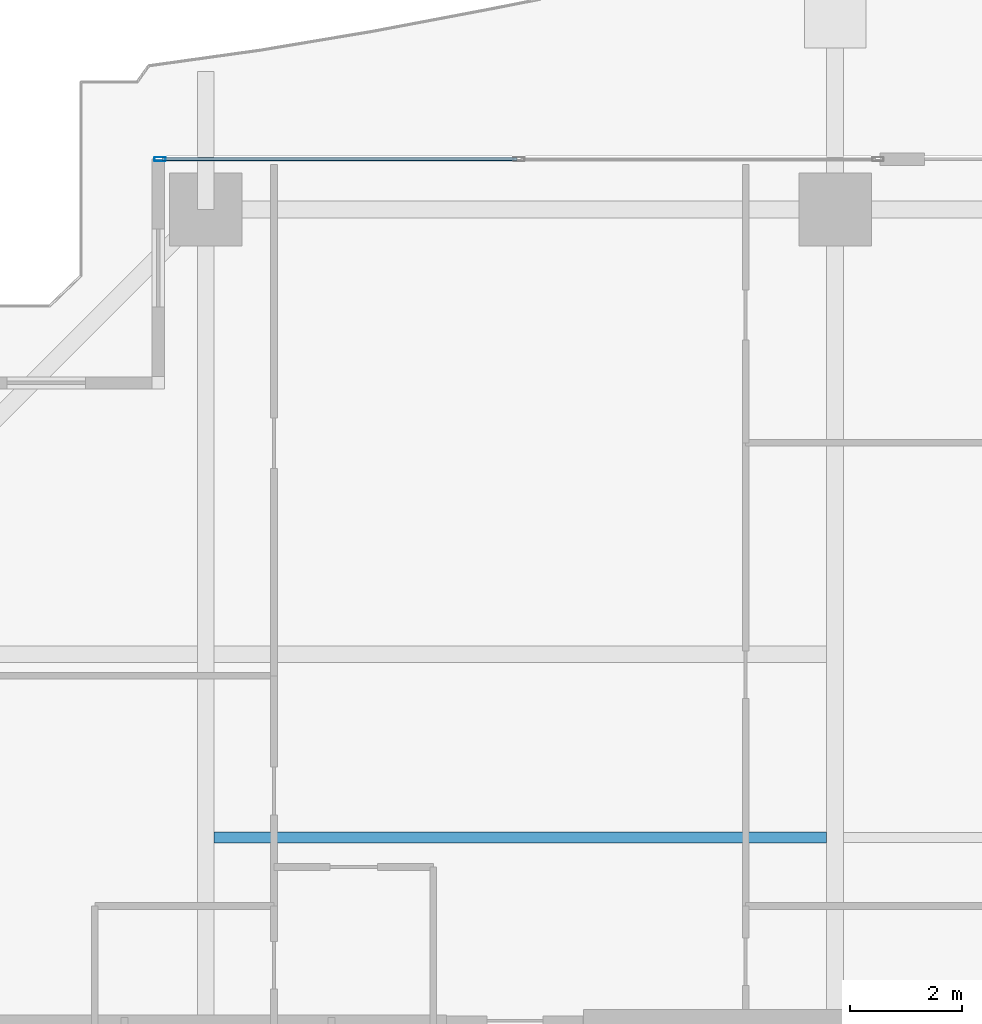
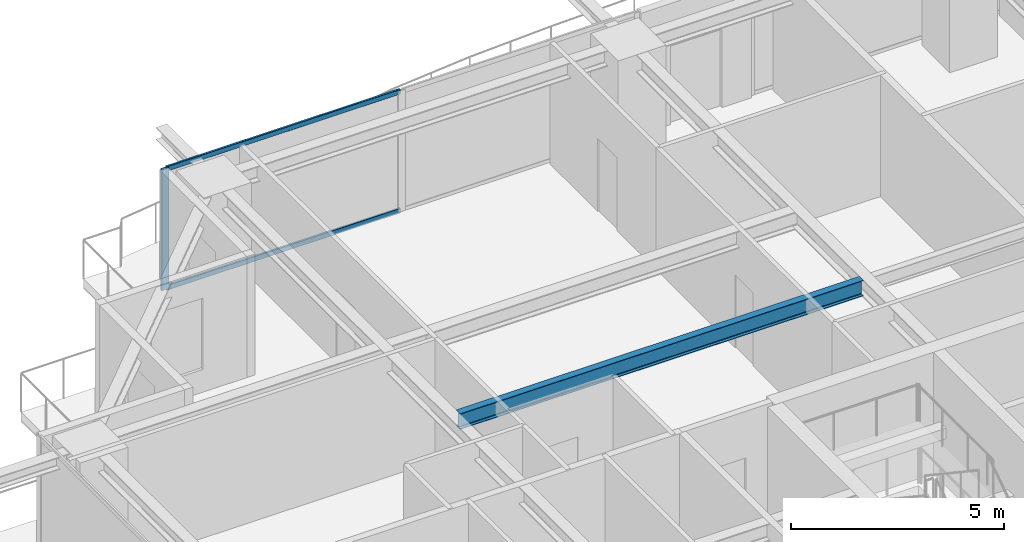
# One storey, part 19 of 38: 3 members, 1 beam, 1 element without a shape of its own.
"""IFC4 building model written with IfcOpenShell, lengths in metres."""

from ifc_helpers import new_model, si_unit, direction, frame, origin, origin_2d, place, context, subcontext, project, spatial, hollow_rectangle, i_section, extrude, source, transform, mapped, material, layer, layer_set, material_profile, profile_set, type_object, element, aggregate, save


model = new_model("IFC4")

# Units and contexts
model_context = context("Model", 3, precision=1e-05, world=origin(), true_north=direction((0.0, 1.0)))
body_context = subcontext(model_context, "Body", "Model", "MODEL_VIEW")
ifc_project = project(units=[si_unit("LENGTHUNIT", "METRE"), si_unit("AREAUNIT", "SQUARE_METRE"), si_unit("VOLUMEUNIT", "CUBIC_METRE"), si_unit("PLANEANGLEUNIT", "RADIAN"), si_unit("MASSUNIT", "GRAM", prefix="KILO")], contexts=[model_context])

# Site, building, storey
site_placement = place(None, origin())
site = spatial("IfcSite", under=ifc_project, at=site_placement, CompositionType="ELEMENT")
building_placement = place(site_placement, origin())
building = spatial("IfcBuilding", under=site, at=building_placement, Name="Serunith Strait Residences", CompositionType="ELEMENT")
storey_placement = place(building_placement, frame((0.0, 0.0, 120.14990234375)))
storey = spatial("IfcBuildingStorey", under=building, at=storey_placement, Name="L29", CompositionType="ELEMENT", Elevation=120.14990234375)

# Beam
ifc_material_1 = material(Name="Steel S355J2", Category="steel")
ifc_material_profile_1 = material_profile(ifc_material_1, i_section(OverallWidth=0.18994140625, OverallDepth=0.449951171875, WebThickness=0.009521484375, FlangeThickness=0.0146484375, FilletRadius=0.02099609375, at=origin_2d()), Name="IPE 450")
ifc_profile_set_1 = profile_set([ifc_material_profile_1], Name="Steel S355J2")
beam_type = type_object("IfcBeamType", Name="BM-IPE450", PredefinedType="JOIST", material=ifc_profile_set_1)
shared_shape_1 = source(origin(), body_context, "Body", "SweptSolid", [
    extrude(i_section(OverallWidth=0.18994140625, OverallDepth=0.449951171875, WebThickness=0.009521484375, FlangeThickness=0.0146484375, FilletRadius=0.02099609375, at=origin_2d()), origin(), (0.0, 0.0, 1.0), 10.949951171875),
])
beam_placement = place(storey_placement, frame((16.800048828125, 36.875, 3.26220703125), z_axis=(1.0, 0.0, 0.0), x_axis=(0.0, 1.0, 0.0)))
element("IfcBeam", 1, at=beam_placement, inside=storey, type_object=beam_type, Name="L29 Composite Floor Joist 04", PredefinedType="JOIST", context=body_context, shape_type="MappedRepresentation", body=[
    mapped(shared_shape_1, transform((0.0, 0.0, 0.0), scale=1.0)),
])

# Curtain wall, members
ifc_material_2 = material(Name="Pale-Champagne Anodised Aluminium", Category="aluminium")
ifc_layer = layer(ifc_material_2, 0.199951171875, Name="Pale-Champagne Anodised Aluminium")
ifc_layer_set = layer_set([ifc_layer], Name="Pale-Champagne Anodised Aluminium")
curtain_wall_type = type_object("IfcCurtainWallType", Name="CW-SYS2", PredefinedType="NOTDEFINED", material=ifc_layer_set)
curtain_wall_placement = place(storey_placement, origin())
curtain_wall = element("IfcCurtainWall", 2, at=curtain_wall_placement, inside=storey, type_object=curtain_wall_type, Name="L29 N Unitised Fritted Curtain Wall", PredefinedType="NOTDEFINED")
ifc_material_profile_2 = material_profile(ifc_material_2, hollow_rectangle(XDim=0.070068359375, YDim=0.199951171875, WallThickness=0.00390625, InnerFilletRadius=0.006103515625, OuterFilletRadius=0.010009765625, at=origin_2d()), Name="ALU 200x70x4")
ifc_profile_set_2 = profile_set([ifc_material_profile_2], Name="Pale-Champagne Anodised Aluminium")
member_type_1 = type_object("IfcMemberType", Name="CW-SYS2-MULL", PredefinedType="MULLION", material=ifc_profile_set_2)
shared_shape_2 = source(origin(), body_context, "Body", "SweptSolid", [
    extrude(hollow_rectangle(XDim=0.070068359375, YDim=0.199951171875, WallThickness=0.00390625, InnerFilletRadius=0.006103515625, OuterFilletRadius=0.010009765625, at=origin_2d()), origin(), (0.0, 0.0, 1.0), 3.47509765625),
])
member_1_placement = place(storey_placement, frame((15.8349609375, 49.0, 0.0), z_axis=(0.0, 0.0, 1.0), x_axis=(0.0, -1.0, 0.0)))
member_1 = element("IfcMember", 3, at=member_1_placement, type_object=member_type_1, Name="CW-2 mullion 3", PredefinedType="MULLION", context=body_context, shape_type="MappedRepresentation", body=[
    mapped(shared_shape_2, transform((0.0, 0.0, 0.0), scale=1.0)),
])
ifc_material_profile_3 = material_profile(ifc_material_2, hollow_rectangle(XDim=0.06005859375, YDim=0.139892578125, WallThickness=0.00341796875, InnerFilletRadius=0.00537109375, OuterFilletRadius=0.0087890625, at=origin_2d()), Name="ALU 140x60x3.5")
ifc_profile_set_3 = profile_set([ifc_material_profile_3], Name="Pale-Champagne Anodised Aluminium")
member_type_2 = type_object("IfcMemberType", Name="CW-SYS2-TRAN", PredefinedType="USERDEFINED", material=ifc_profile_set_3)
shared_shape_3 = source(origin(), body_context, "Body", "SweptSolid", [
    extrude(hollow_rectangle(XDim=0.06005859375, YDim=0.139892578125, WallThickness=0.00341796875, InnerFilletRadius=0.00537109375, OuterFilletRadius=0.0087890625, at=origin_2d()), origin(), (0.0, 0.0, 1.0), 6.344970703125),
])
member_2_placement = place(storey_placement, frame((22.215087890625, 49.0, 0.030029296875), z_axis=(-1.0, 0.0, 0.0), x_axis=(0.0, -1.0, 0.0)))
member_2 = element("IfcMember", 4, at=member_2_placement, type_object=member_type_2, Name="CW-2 transom 2.1", ObjectType="TRANSOM", PredefinedType="USERDEFINED", context=body_context, shape_type="MappedRepresentation", body=[
    mapped(shared_shape_3, transform((0.0, 0.0, 0.0), scale=1.0)),
])
member_3_placement = place(storey_placement, frame((22.215087890625, 49.0, 3.445068359375), z_axis=(-1.0, 0.0, 0.0), x_axis=(0.0, -1.0, 0.0)))
member_3 = element("IfcMember", 5, at=member_3_placement, type_object=member_type_2, Name="CW-2 transom 2.2", ObjectType="TRANSOM", PredefinedType="USERDEFINED", context=body_context, shape_type="MappedRepresentation", body=[
    mapped(shared_shape_3, transform((0.0, 0.0, 0.0), scale=1.0)),
])
aggregate(curtain_wall, [member_1, member_2, member_3])

save(model, "model.ifc")
